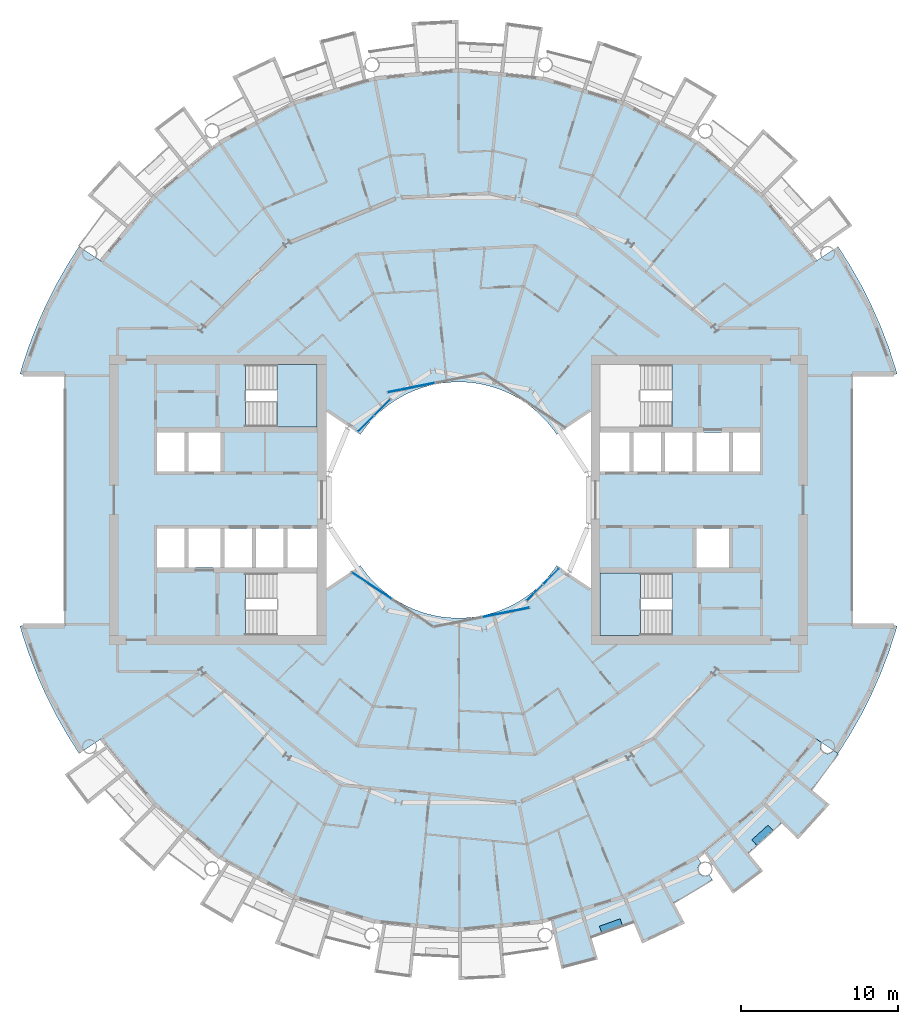
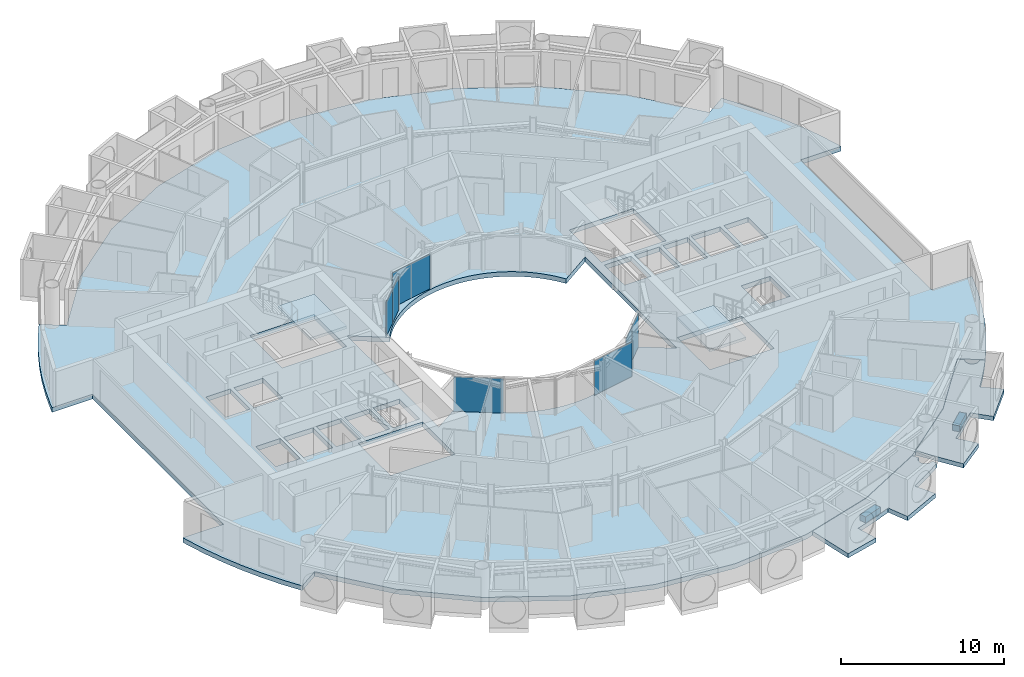
# One storey, part 11 of 27: 7 plates, 7 slabs, 7 elements without a shape of their own.
"""IFC4 building model written with IfcOpenShell, lengths in metres."""

import ifcopenshell
import ifcopenshell.guid

model = None  # the IFC model being written
_history = None  # IfcOwnerHistory: only IFC2X3 demands one
_inside = {}  # id of a spatial element -> (the spatial element, [elements in it])
_under = {}  # id of a project, library or spatial element -> (it, [spatial elements below it])
_declared = {}  # id of a project -> (the project, [libraries it declares])
_typed = {}  # id of a type object -> (the type object, [elements of that type])
_made_of = {}  # id of a material, layer set ... -> (it, [elements and type objects made of it])


def new_model(schema):
    """Start an empty IFC model of exactly this schema.

    Asked for "IFC4X3", IfcOpenShell would pick the latest addendum, in which some entities
    have other attributes; the version numbers below select the first issue.
    IFC2X3 requires an IfcOwnerHistory on every rooted entity: one is made here for all.
    """
    global model, _history
    if schema == "IFC4X3":
        model = ifcopenshell.file(schema_version=(4, 3, 0, 0))
    else:
        model = ifcopenshell.file(schema=schema)
    _inside.clear()
    _under.clear()
    _declared.clear()
    _typed.clear()
    _made_of.clear()
    _history = None
    if model.schema == "IFC2X3":
        org = make("IfcOrganization", Name="unknown")
        user = make(
            "IfcPersonAndOrganization",
            ThePerson=make("IfcPerson", FamilyName="unknown"),
            TheOrganization=org,
        )
        app = make(
            "IfcApplication",
            ApplicationDeveloper=org,
            Version="unknown",
            ApplicationFullName="unknown",
            ApplicationIdentifier="unknown",
        )
        _history = make(
            "IfcOwnerHistory",
            OwningUser=user,
            OwningApplication=app,
            ChangeAction="ADDED",
            CreationDate=0,
        )
    return model


def make(cls, **values):
    """One entity of the class cls with the attributes given. An attribute that is None is left unset."""
    return model.create_entity(
        cls, **{name: value for name, value in values.items() if value is not None}
    )


def rooted(cls, **values):
    """An entity with a GlobalId (a new one), such as an element, a storey or a relation."""
    return make(cls, GlobalId=ifcopenshell.guid.new(), OwnerHistory=_history, **values)


def si_unit(unit_type, name, prefix=None):
    """IfcSIUnit, for example si_unit("LENGTHUNIT", "METRE", prefix="MILLI")."""
    return make("IfcSIUnit", UnitType=unit_type, Prefix=prefix, Name=name)


def assignment(units):
    """IfcUnitAssignment: the units of a project."""
    return None if units is None else make("IfcUnitAssignment", Units=units)


def point(xyz):
    """IfcCartesianPoint."""
    return None if xyz is None else make("IfcCartesianPoint", Coordinates=xyz)


def direction(xyz):
    """IfcDirection."""
    return None if xyz is None else make("IfcDirection", DirectionRatios=xyz)


def frame(location, z_axis=None, x_axis=None):
    """IfcAxis2Placement3D, a coordinate frame: its origin and axes. An axis left out is left unset."""
    return make(
        "IfcAxis2Placement3D",
        Location=point(location),
        Axis=direction(z_axis),
        RefDirection=direction(x_axis),
    )


def frame_2d(location, x_axis=None):
    """IfcAxis2Placement2D, a coordinate frame in the plane: its origin and x axis."""
    return make(
        "IfcAxis2Placement2D", Location=point(location), RefDirection=direction(x_axis)
    )


def origin():
    """The frame at (0, 0, 0) with its axes left unset."""
    return frame((0.0, 0.0, 0.0))


def origin_2d():
    """The frame at (0, 0) in the plane with its x axis left unset."""
    return frame_2d((0.0, 0.0))


def place(relative_to, where):
    """IfcLocalPlacement: puts the frame where relative to a parent placement (None: the world)."""
    return make(
        "IfcLocalPlacement", PlacementRelTo=relative_to, RelativePlacement=where
    )


def context(
    kind, dimensions, precision=None, world=None, true_north=None, identifier=None
):
    """IfcGeometricRepresentationContext, for example the 3D "Model" context."""
    return make(
        "IfcGeometricRepresentationContext",
        ContextIdentifier=identifier,
        ContextType=kind,
        CoordinateSpaceDimension=dimensions,
        Precision=precision,
        WorldCoordinateSystem=world,
        TrueNorth=true_north,
    )


def subcontext(parent, identifier, kind, view, scale=None):
    """IfcGeometricRepresentationSubContext, for example "Body" below "Model"."""
    return make(
        "IfcGeometricRepresentationSubContext",
        ContextIdentifier=identifier,
        ContextType=kind,
        ParentContext=parent,
        TargetScale=scale,
        TargetView=view,
    )


def project(units=None, contexts=None):
    """IfcProject with its units and contexts."""
    return rooted(
        "IfcProject",
        Name="project",
        RepresentationContexts=contexts,
        UnitsInContext=assignment(units),
    )


def spatial(cls, under=None, at=None, **own):
    """A site, building, storey or space (cls), placed at a placement, below another one or the project."""
    s = rooted(cls, ObjectPlacement=at, **own)
    if under is not None:
        _under.setdefault(under.id(), (under, []))[1].append(s)
    return s


def polyline(points):
    """IfcPolyline through the points."""
    return make("IfcPolyline", Points=[point(p) for p in points])


def profile(cls, at=None, kind="AREA", **sizes):
    """A parametric profile (cls). Its sizes go by their IFC names, for example OverallWidth=200.0."""
    return make(cls, ProfileType=kind, Position=at, **sizes)


def rectangle(**sizes):
    """IfcRectangleProfileDef."""
    return profile("IfcRectangleProfileDef", **sizes)


def outline(outer, holes=None, kind="AREA"):
    """IfcArbitraryClosedProfileDef: a profile drawn as a closed curve; with holes, ...WithVoids."""
    if holes is None:
        return make("IfcArbitraryClosedProfileDef", ProfileType=kind, OuterCurve=outer)
    return make(
        "IfcArbitraryProfileDefWithVoids",
        ProfileType=kind,
        OuterCurve=outer,
        InnerCurves=holes,
    )


def extrude(swept, where, along, depth):
    """IfcExtrudedAreaSolid: the profile swept, set in the frame where, extruded along a direction by depth."""
    return make(
        "IfcExtrudedAreaSolid",
        SweptArea=swept,
        Position=where,
        ExtrudedDirection=direction(along),
        Depth=depth,
    )


def shape(context_of_items, identifier, shape_type, items):
    """IfcShapeRepresentation: the items that make up one representation, for example the "Body"."""
    return make(
        "IfcShapeRepresentation",
        ContextOfItems=context_of_items,
        RepresentationIdentifier=identifier,
        RepresentationType=shape_type,
        Items=items,
    )


def material(Name=None, Category=None):
    """IfcMaterial."""
    return make("IfcMaterial", Name=Name, Category=Category)


def layer(
    of_material, thickness, ventilated=None, Name=None, Category=None, Priority=None
):
    """IfcMaterialLayer: one layer of a wall or slab, of a material (None: an air gap)."""
    return make(
        "IfcMaterialLayer",
        Material=of_material,
        LayerThickness=thickness,
        IsVentilated=ventilated,
        Name=Name,
        Category=Category,
        Priority=Priority,
    )


def layer_set(layers, Name=None):
    """IfcMaterialLayerSet."""
    return make("IfcMaterialLayerSet", MaterialLayers=layers, LayerSetName=Name)


def made_of(thing, what):
    """Note that an element or type object is made of a material, layer set ...; save() writes the relation."""
    if what is not None:
        _made_of.setdefault(what.id(), (what, []))[1].append(thing)
    return thing


def type_object(cls, material=None, **own):
    """A type object (cls), such as IfcWallType, which elements share."""
    return made_of(rooted(cls, **own), material)


def element(
    cls,
    number,
    at=None,
    inside=None,
    cuts=None,
    type_object=None,
    material=None,
    context=None,
    identifier="Body",
    shape_type=None,
    held_by="IfcProductDefinitionShape",
    body=None,
    shapes=None,
    **own,
):
    """One element of the class cls, such as IfcWall. Its Tag is "e" and its number.

    at: its placement. inside: the storey or other place that contains it. cuts: it is an
    opening in that element (IfcRelVoidsElement). A single representation is given by context,
    identifier, shape_type and body (its items); several are given by shapes. held_by: the class
    of the entity that holds the representations. save() writes the other relations.
    """
    e = rooted(cls, Tag="e%d" % number, ObjectPlacement=at, **own)
    if body is not None:
        shapes = [shape(context, identifier, shape_type, body)]
    if shapes is not None:
        e.Representation = make(held_by, Representations=shapes)
    if inside is not None:
        _inside.setdefault(inside.id(), (inside, []))[1].append(e)
    if cuts is not None:
        rooted(
            "IfcRelVoidsElement", RelatingBuildingElement=cuts, RelatedOpeningElement=e
        )
    if type_object is not None:
        _typed.setdefault(type_object.id(), (type_object, []))[1].append(e)
    return made_of(e, material)


def aggregate(whole, parts):
    """IfcRelAggregates: a whole, such as a stair, and the parts it consists of."""
    return rooted("IfcRelAggregates", RelatingObject=whole, RelatedObjects=parts)


def save(model, path):
    """Write the relations noted so far, then the file.

    IfcRelAggregates (storeys below a building ...), IfcRelContainedInSpatialStructure (elements
    in a storey), IfcRelDefinesByType, IfcRelAssociatesMaterial and IfcRelDeclares: one each for
    every whole, place, type object, material and project.
    """
    for whole, parts in _under.values():
        aggregate(whole, parts)
    for where, things in _inside.values():
        rooted(
            "IfcRelContainedInSpatialStructure",
            RelatedElements=things,
            RelatingStructure=where,
        )
    for kind, things in _typed.values():
        rooted("IfcRelDefinesByType", RelatedObjects=things, RelatingType=kind)
    for what, things in _made_of.values():
        rooted("IfcRelAssociatesMaterial", RelatedObjects=things, RelatingMaterial=what)
    for by, libraries in _declared.values():
        rooted("IfcRelDeclares", RelatingContext=by, RelatedDefinitions=libraries)
    model.write(path)


model = new_model("IFC4")

# Units and contexts
model_context = context("Model", 3, precision=1e-05, world=origin(), true_north=direction((0.0, 1.0)))
body_context = subcontext(model_context, "Body", "Model", "MODEL_VIEW")
ifc_project = project(units=[si_unit("LENGTHUNIT", "METRE"), si_unit("AREAUNIT", "SQUARE_METRE"), si_unit("VOLUMEUNIT", "CUBIC_METRE"), si_unit("PLANEANGLEUNIT", "RADIAN"), si_unit("MASSUNIT", "GRAM", prefix="KILO")], contexts=[model_context])

# Site, building, storey
site_placement = place(None, origin())
site = spatial("IfcSite", under=ifc_project, at=site_placement, CompositionType="ELEMENT")
building_placement = place(site_placement, origin())
building = spatial("IfcBuilding", under=site, at=building_placement, Name="Maasbend Ring Residences", CompositionType="ELEMENT")
storey_placement = place(building_placement, frame((0.0, 0.0, 114.699951171875)))
storey = spatial("IfcBuildingStorey", under=building, at=storey_placement, Name="L32", CompositionType="ELEMENT", Elevation=114.699951171875)

# Stair, slab
ifc_material_1 = material(Name="Concrete C40/50", Category="concrete")
stair_type = type_object("IfcStairType", Name="CORE STAIR 18 RISERS", PredefinedType="HALF_TURN_STAIR", material=ifc_material_1)
stair_1_placement = place(storey_placement, origin())
stair_1 = element("IfcStair", 1, at=stair_1_placement, inside=storey, type_object=stair_type, Name="L32 Exit stair ST-E2", PredefinedType="HALF_TURN_STAIR")
ifc_material_2 = material(Name="Concrete C40/50", Category="concrete")
ifc_layer_1 = layer(ifc_material_2, 0.199951171875)
ifc_layer_set_1 = layer_set([ifc_layer_1], Name="Concrete C40/50")
slab_type_1 = type_object("IfcSlabType", Name="CORE STAIR LANDING 200", PredefinedType="LANDING", material=ifc_layer_set_1)
slab_1_placement = place(storey_placement, frame((0.0, 0.0, 1.324951171875)))
slab_1 = element("IfcSlab", 2, at=slab_1_placement, type_object=slab_type_1, Name="ST-E2 landing 1", PredefinedType="LANDING", context=body_context, shape_type="SweptSolid", body=[
    extrude(outline(polyline([(11.550048828125, -4.64990234375), (9.0, -4.64990234375), (9.0, -8.60009765625), (11.550048828125, -8.60009765625), (11.550048828125, -4.64990234375)])), origin(), (0.0, 0.0, 1.0), 0.2001953125),
])
aggregate(stair_1, [slab_1])

stair_2_placement = place(storey_placement, origin())
stair_2 = element("IfcStair", 3, at=stair_2_placement, inside=storey, type_object=stair_type, Name="L32 Exit stair ST-W2", PredefinedType="HALF_TURN_STAIR")
slab_2_placement = place(storey_placement, frame((0.0, 0.0, 1.324951171875)))
slab_2 = element("IfcSlab", 4, at=slab_2_placement, type_object=slab_type_1, Name="ST-W2 landing 1", PredefinedType="LANDING", context=body_context, shape_type="SweptSolid", body=[
    extrude(outline(polyline([(-11.550048828125, 4.64990234375), (-9.0, 4.64990234375), (-9.0, 8.60009765625), (-11.550048828125, 8.60009765625), (-11.550048828125, 4.64990234375)])), origin(), (0.0, 0.0, 1.0), 0.2001953125),
])
aggregate(stair_2, [slab_2])

# Curtain wall, plate
ifc_material_3 = material(Name="Aluminium and clear glass", Category="aluminium")
ifc_layer_2 = layer(ifc_material_3, 0.179931640625)
ifc_layer_set_2 = layer_set([ifc_layer_2], Name="CW-W")
curtain_wall_type = type_object("IfcCurtainWallType", Name="CW-W", PredefinedType="NOTDEFINED", material=ifc_layer_set_2)
curtain_wall_1_placement = place(storey_placement, origin())
curtain_wall_1 = element("IfcCurtainWall", 5, at=curtain_wall_1_placement, inside=storey, type_object=curtain_wall_type, Name="Well curtain wall N2", PredefinedType="NOTDEFINED")
ifc_material_4 = material(Name="Glass clear laminated", Category="glass")
ifc_layer_3 = layer(ifc_material_4, 0.031982421875)
ifc_layer_set_3 = layer_set([ifc_layer_3], Name="CWP-W")
plate_type = type_object("IfcPlateType", Name="CWP-W", PredefinedType="CURTAIN_PANEL", material=ifc_layer_set_3)
plate_1_placement = place(storey_placement, frame((-3.0078125, 7.140380859375, 0.0), z_axis=(0.0, 0.0, 1.0), x_axis=(-0.980785280403, -0.195090322016, 0.0)))
plate_1 = element("IfcPlate", 6, at=plate_1_placement, type_object=plate_type, Name="Glass panel well face", PredefinedType="CURTAIN_PANEL", context=body_context, shape_type="SweptSolid", body=[
    extrude(rectangle(XDim=3.053955078125, YDim=0.031982421875, at=origin_2d()), origin(), (0.0, 0.0, 1.0), 2.580078125),
])
aggregate(curtain_wall_1, [plate_1])

# Curtain wall, plates
curtain_wall_2_placement = place(storey_placement, origin())
curtain_wall_2 = element("IfcCurtainWall", 7, at=curtain_wall_2_placement, inside=storey, type_object=curtain_wall_type, Name="Well curtain wall N3", PredefinedType="NOTDEFINED")
plate_2_placement = place(storey_placement, frame((-4.84375, 5.89013671875, 0.0), z_axis=(0.0, 0.0, 1.0), x_axis=(-0.707106781187, -0.707106781187, 0.0)))
plate_2 = element("IfcPlate", 8, at=plate_2_placement, type_object=plate_type, Name="Glass panel well face", PredefinedType="CURTAIN_PANEL", context=body_context, shape_type="SweptSolid", body=[
    extrude(rectangle(XDim=1.419677734375, YDim=0.031982421875, at=origin_2d()), origin(), (0.0, 0.0, 1.0), 2.580078125),
])
plate_3_placement = place(storey_placement, frame((-5.89013671875, 4.84375, 0.0), z_axis=(0.0, 0.0, 1.0), x_axis=(-0.707106781187, -0.707106781187, 0.0)))
plate_3 = element("IfcPlate", 9, at=plate_3_placement, type_object=plate_type, Name="Glass panel well face", PredefinedType="CURTAIN_PANEL", context=body_context, shape_type="SweptSolid", body=[
    extrude(rectangle(XDim=1.419677734375, YDim=0.031982421875, at=origin_2d()), origin(), (0.0, 0.0, 1.0), 2.580078125),
])
aggregate(curtain_wall_2, [plate_2, plate_3])

# Curtain wall, plate
curtain_wall_3_placement = place(storey_placement, origin())
curtain_wall_3 = element("IfcCurtainWall", 10, at=curtain_wall_3_placement, inside=storey, type_object=curtain_wall_type, Name="Well curtain wall S1", PredefinedType="NOTDEFINED")
plate_4_placement = place(storey_placement, frame((-5.51123046875, -5.44580078125, 0.0), z_axis=(0.0, 0.0, 1.0), x_axis=(0.831469612303, -0.55557023302, 0.0)))
plate_4 = element("IfcPlate", 11, at=plate_4_placement, type_object=plate_type, Name="Glass panel well face", PredefinedType="CURTAIN_PANEL", context=body_context, shape_type="SweptSolid", body=[
    extrude(rectangle(XDim=3.053955078125, YDim=0.031982421875, at=origin_2d()), origin(), (0.0, 0.0, 1.0), 2.580078125),
])
aggregate(curtain_wall_3, [plate_4])

curtain_wall_4_placement = place(storey_placement, origin())
curtain_wall_4 = element("IfcCurtainWall", 12, at=curtain_wall_4_placement, inside=storey, type_object=curtain_wall_type, Name="Well curtain wall S2", PredefinedType="NOTDEFINED")
plate_5_placement = place(storey_placement, frame((3.0078125, -7.140380859375, 0.0), z_axis=(0.0, 0.0, 1.0), x_axis=(0.980785280403, 0.195090322016, 0.0)))
plate_5 = element("IfcPlate", 13, at=plate_5_placement, type_object=plate_type, Name="Glass panel well face", PredefinedType="CURTAIN_PANEL", context=body_context, shape_type="SweptSolid", body=[
    extrude(rectangle(XDim=3.053955078125, YDim=0.031982421875, at=origin_2d()), origin(), (0.0, 0.0, 1.0), 2.580078125),
])
aggregate(curtain_wall_4, [plate_5])

# Curtain wall, plates
curtain_wall_5_placement = place(storey_placement, origin())
curtain_wall_5 = element("IfcCurtainWall", 14, at=curtain_wall_5_placement, inside=storey, type_object=curtain_wall_type, Name="Well curtain wall S3", PredefinedType="NOTDEFINED")
plate_6_placement = place(storey_placement, frame((4.84375, -5.89013671875, 0.0), z_axis=(0.0, 0.0, 1.0), x_axis=(0.707106781187, 0.707106781187, 0.0)))
plate_6 = element("IfcPlate", 15, at=plate_6_placement, type_object=plate_type, Name="Glass panel well face", PredefinedType="CURTAIN_PANEL", context=body_context, shape_type="SweptSolid", body=[
    extrude(rectangle(XDim=1.419677734375, YDim=0.031982421875, at=origin_2d()), origin(), (0.0, 0.0, 1.0), 2.580078125),
])
plate_7_placement = place(storey_placement, frame((5.89013671875, -4.84375, 0.0), z_axis=(0.0, 0.0, 1.0), x_axis=(0.707106781187, 0.707106781187, 0.0)))
plate_7 = element("IfcPlate", 16, at=plate_7_placement, type_object=plate_type, Name="Glass panel well face", PredefinedType="CURTAIN_PANEL", context=body_context, shape_type="SweptSolid", body=[
    extrude(rectangle(XDim=1.419677734375, YDim=0.031982421875, at=origin_2d()), origin(), (0.0, 0.0, 1.0), 2.580078125),
])
aggregate(curtain_wall_5, [plate_6, plate_7])

# Slabs
ifc_material_5 = material(Name="Planting with climbing greenery")
ifc_layer_4 = layer(ifc_material_5, 0.449951171875)
ifc_layer_set_4 = layer_set([ifc_layer_4], Name="PLANTER-LG")
slab_type_2 = type_object("IfcSlabType", Name="PLANTER-LG", PredefinedType="USERDEFINED", material=ifc_layer_set_4)
slab_3_placement = place(storey_placement, frame((0.0, 0.0, -0.030029296875)))
element("IfcSlab", 17, at=slab_3_placement, inside=storey, type_object=slab_type_2, Name="Planter with climbing greenery 4", ObjectType="PLANTER", PredefinedType="USERDEFINED", context=body_context, shape_type="SweptSolid", body=[
    extrude(outline(polyline([(9.09912109375, -27.508056640625), (10.4169921875, -27.035888671875), (10.26611328125, -26.612060546875), (8.947021484375, -27.083984375), (9.09912109375, -27.508056640625)])), origin(), (0.0, 0.0, 1.0), 0.4501953125),
])
slab_4_placement = place(storey_placement, frame((0.0, 0.0, -0.030029296875)))
element("IfcSlab", 18, at=slab_4_placement, inside=storey, type_object=slab_type_2, Name="Planter with climbing greenery 5", ObjectType="PLANTER", PredefinedType="USERDEFINED", context=body_context, shape_type="SweptSolid", body=[
    extrude(outline(polyline([(18.93310546875, -21.931884765625), (19.969970703125, -20.991943359375), (19.66796875, -20.657958984375), (18.631103515625, -21.597900390625), (18.93310546875, -21.931884765625)])), origin(), (0.0, 0.0, 1.0), 0.4501953125),
])
ifc_material_6 = material(Name="Concrete C40/50", Category="concrete")
ifc_layer_5 = layer(ifc_material_6, 0.35009765625)
ifc_layer_set_5 = layer_set([ifc_layer_5], Name="Concrete C40/50")
slab_type_3 = type_object("IfcSlabType", Name="Post-tensioned flat plate 350", PredefinedType="FLOOR", material=ifc_layer_set_5)
slab_5_placement = place(storey_placement, frame((0.0, 0.0, -0.349853515625)))
element("IfcSlab", 19, at=slab_5_placement, inside=storey, type_object=slab_type_3, Name="Floor slab L32", PredefinedType="FLOOR", context=body_context, shape_type="SweptSolid", body=[
    extrude(outline(polyline([(24.8740234375, -14.908935546875), (25.57568359375, -13.67041015625), (26.2158203125, -12.399169921875), (26.79248046875, -11.097900390625), (27.3046875, -9.769775390625), (27.751220703125, -8.418212890625), (27.866943359375, -8.0), (25.0, -8.0), (25.0, 8.0), (27.866943359375, 8.0), (27.751220703125, 8.418212890625), (27.3046875, 9.769775390625), (26.79248046875, 11.097900390625), (26.2158203125, 12.399169921875), (25.57568359375, 13.67041015625), (24.8740234375, 14.908935546875), (24.112548828125, 16.111572265625), (22.69921875, 15.1669921875), (19.303955078125, 19.303955078125), (15.1669921875, 22.69921875), (10.447265625, 25.221923828125), (5.325927734375, 26.775390625), (0.0, 27.300048828125), (-5.325927734375, 26.775390625), (-10.447265625, 25.221923828125), (-15.1669921875, 22.69921875), (-19.303955078125, 19.303955078125), (-22.69921875, 15.1669921875), (-24.112548828125, 16.111572265625), (-24.8740234375, 14.908935546875), (-25.57568359375, 13.67041015625), (-26.2158203125, 12.399169921875), (-26.79248046875, 11.097900390625), (-27.3046875, 9.769775390625), (-27.751220703125, 8.418212890625), (-27.866943359375, 8.0), (-25.0, 8.0), (-25.0, -8.0), (-27.866943359375, -8.0), (-27.751220703125, -8.418212890625), (-27.3046875, -9.769775390625), (-26.79248046875, -11.097900390625), (-26.2158203125, -12.399169921875), (-25.57568359375, -13.67041015625), (-24.8740234375, -14.908935546875), (-24.112548828125, -16.111572265625), (-22.69921875, -15.1669921875), (-19.303955078125, -19.303955078125), (-15.1669921875, -22.69921875), (-10.447265625, -25.221923828125), (-5.325927734375, -26.775390625), (0.0, -27.300048828125), (5.325927734375, -26.775390625), (10.447265625, -25.221923828125), (15.1669921875, -22.69921875), (19.303955078125, -19.303955078125), (22.69921875, -15.1669921875), (24.112548828125, -16.111572265625), (24.8740234375, -14.908935546875)]), holes=[polyline([(17.425048828125, 4.27490234375), (19.14990234375, 4.27490234375), (19.14990234375, 1.824951171875), (17.425048828125, 1.824951171875), (17.425048828125, 4.27490234375)]), polyline([(15.125, 1.824951171875), (15.125, 4.27490234375), (17.175048828125, 4.27490234375), (17.175048828125, 1.824951171875), (15.125, 1.824951171875)]), polyline([(15.125, -4.27490234375), (15.125, -1.824951171875), (17.175048828125, -1.824951171875), (17.175048828125, -4.27490234375), (15.125, -4.27490234375)]), polyline([(13.125, 1.824951171875), (13.125, 4.27490234375), (14.875, 4.27490234375), (14.875, 1.824951171875), (13.125, 1.824951171875)]), polyline([(13.550048828125, 4.64990234375), (9.0, 4.64990234375), (9.0, 8.60009765625), (13.550048828125, 8.60009765625), (13.550048828125, 4.64990234375)]), polyline([(13.550048828125, -4.64990234375), (13.550048828125, -8.60009765625), (9.0, -8.60009765625), (9.0, -4.64990234375), (13.550048828125, -4.64990234375)]), polyline([(11.125, 1.824951171875), (11.125, 4.27490234375), (12.875, 4.27490234375), (12.875, 1.824951171875), (11.125, 1.824951171875)]), polyline([(9.0, 1.824951171875), (9.0, 4.27490234375), (10.875, 4.27490234375), (10.875, 1.824951171875), (9.0, 1.824951171875)]), polyline([(6.024169921875, 4.4677734375), (6.236083984375, 4.166748046875), (8.39990234375, 5.61279296875), (8.39990234375, -5.61279296875), (6.236083984375, -4.166748046875), (6.024169921875, -4.4677734375), (5.797607421875, -4.7578125), (5.55712890625, -5.03662109375), (5.30322265625, -5.30322265625), (5.03662109375, -5.55712890625), (4.7578125, -5.797607421875), (4.4677734375, -6.024169921875), (4.166748046875, -6.236083984375), (3.855712890625, -6.43310546875), (3.535400390625, -6.614501953125), (3.206787109375, -6.77978515625), (2.8701171875, -6.92919921875), (2.526611328125, -7.0615234375), (2.177001953125, -7.177001953125), (1.822509765625, -7.275146484375), (1.463134765625, -7.35595703125), (1.1005859375, -7.418701171875), (0.735107421875, -7.4638671875), (0.367919921875, -7.490966796875), (0.0, -7.5), (-0.367919921875, -7.490966796875), (-0.735107421875, -7.4638671875), (-1.1005859375, -7.418701171875), (-1.463134765625, -7.35595703125), (-1.822509765625, -7.275146484375), (-2.177001953125, -7.177001953125), (-2.526611328125, -7.0615234375), (-2.8701171875, -6.92919921875), (-3.206787109375, -6.77978515625), (-3.535400390625, -6.614501953125), (-3.855712890625, -6.43310546875), (-4.166748046875, -6.236083984375), (-4.4677734375, -6.024169921875), (-4.7578125, -5.797607421875), (-5.03662109375, -5.55712890625), (-5.30322265625, -5.30322265625), (-5.55712890625, -5.03662109375), (-5.797607421875, -4.7578125), (-6.024169921875, -4.4677734375), (-6.236083984375, -4.166748046875), (-8.39990234375, -5.61279296875), (-8.39990234375, 5.61279296875), (-6.236083984375, 4.166748046875), (-6.236083984375, 4.166748046875), (-6.024169921875, 4.4677734375), (-5.797607421875, 4.7578125), (-5.55712890625, 5.03662109375), (-5.30322265625, 5.30322265625), (-5.03662109375, 5.55712890625), (-4.7578125, 5.797607421875), (-4.4677734375, 6.024169921875), (-4.166748046875, 6.236083984375), (-3.855712890625, 6.43310546875), (-3.535400390625, 6.614501953125), (-3.206787109375, 6.77978515625), (-2.8701171875, 6.92919921875), (-2.526611328125, 7.0615234375), (-2.177001953125, 7.177001953125), (-1.822509765625, 7.275146484375), (-1.463134765625, 7.35595703125), (-1.1005859375, 7.418701171875), (-0.735107421875, 7.4638671875), (-0.367919921875, 7.490966796875), (0.0, 7.5), (0.367919921875, 7.490966796875), (0.735107421875, 7.4638671875), (1.1005859375, 7.418701171875), (1.463134765625, 7.35595703125), (1.822509765625, 7.275146484375), (2.177001953125, 7.177001953125), (2.526611328125, 7.0615234375), (2.8701171875, 6.92919921875), (3.206787109375, 6.77978515625), (3.535400390625, 6.614501953125), (3.855712890625, 6.43310546875), (4.166748046875, 6.236083984375), (4.4677734375, 6.024169921875), (4.7578125, 5.797607421875), (5.03662109375, 5.55712890625), (5.30322265625, 5.30322265625), (5.55712890625, 5.03662109375), (5.797607421875, 4.7578125), (6.024169921875, 4.4677734375)]), polyline([(-13.550048828125, 4.64990234375), (-13.550048828125, 8.60009765625), (-9.0, 8.60009765625), (-9.0, 4.64990234375), (-13.550048828125, 4.64990234375)]), polyline([(-13.550048828125, -8.60009765625), (-13.550048828125, -4.64990234375), (-9.0, -4.64990234375), (-9.0, -8.60009765625), (-13.550048828125, -8.60009765625)]), polyline([(-9.0, -1.824951171875), (-9.0, -4.27490234375), (-10.875, -4.27490234375), (-10.875, -1.824951171875), (-9.0, -1.824951171875)]), polyline([(-11.125, -1.824951171875), (-11.125, -4.27490234375), (-12.875, -4.27490234375), (-12.875, -1.824951171875), (-11.125, -1.824951171875)]), polyline([(-13.125, -1.824951171875), (-13.125, -4.27490234375), (-14.875, -4.27490234375), (-14.875, -1.824951171875), (-13.125, -1.824951171875)]), polyline([(-15.125, 4.27490234375), (-15.125, 1.824951171875), (-17.175048828125, 1.824951171875), (-17.175048828125, 4.27490234375), (-15.125, 4.27490234375)]), polyline([(-15.125, -1.824951171875), (-15.125, -4.27490234375), (-17.175048828125, -4.27490234375), (-17.175048828125, -1.824951171875), (-15.125, -1.824951171875)]), polyline([(-17.425048828125, -1.824951171875), (-17.425048828125, -4.27490234375), (-19.14990234375, -4.27490234375), (-19.14990234375, -1.824951171875), (-17.425048828125, -1.824951171875)]), polyline([(-17.425048828125, 4.27490234375), (-17.425048828125, 1.824951171875), (-19.14990234375, 1.824951171875), (-19.14990234375, 4.27490234375), (-17.425048828125, 4.27490234375)])]), origin(), (0.0, 0.0, 1.0), 0.349853515625),
])
ifc_material_7 = material(Name="Concrete C40/50", Category="concrete")
ifc_layer_6 = layer(ifc_material_7, 0.199951171875)
ifc_layer_set_6 = layer_set([ifc_layer_6], Name="Concrete C40/50")
slab_type_4 = type_object("IfcSlabType", Name="SL-LOGGIA", PredefinedType="FLOOR", material=ifc_layer_set_6)
slab_6_placement = place(storey_placement, frame((0.0, 0.0, -0.349853515625)))
element("IfcSlab", 20, at=slab_6_placement, inside=storey, type_object=slab_type_4, Name="Loggia floor 1", PredefinedType="FLOOR", context=body_context, shape_type="SweptSolid", body=[
    extrude(outline(polyline([(10.447021484375, -25.221923828125), (12.806884765625, -23.9609375), (15.1669921875, -22.698974609375), (15.1669921875, -22.698974609375), (15.1669921875, -22.698974609375), (15.4130859375, -23.06689453125), (15.404052734375, -23.073974609375), (15.39501953125, -23.080078125), (15.385986328125, -23.0869140625), (15.376953125, -23.093994140625), (15.368896484375, -23.10107421875), (15.360107421875, -23.10888671875), (15.35205078125, -23.115966796875), (15.343994140625, -23.1240234375), (15.3359375, -23.132080078125), (15.327880859375, -23.139892578125), (15.321044921875, -23.14892578125), (15.31396484375, -23.156982421875), (15.306884765625, -23.166015625), (15.300048828125, -23.175048828125), (15.29296875, -23.18408203125), (15.287109375, -23.194091796875), (15.281005859375, -23.202880859375), (15.27490234375, -23.2119140625), (15.26904296875, -23.221923828125), (15.263916015625, -23.23193359375), (15.259033203125, -23.241943359375), (15.25390625, -23.251953125), (15.2490234375, -23.261962890625), (15.2451171875, -23.27294921875), (15.240966796875, -23.282958984375), (15.237060546875, -23.29296875), (15.23291015625, -23.303955078125), (15.22998046875, -23.31494140625), (15.22705078125, -23.325927734375), (15.22412109375, -23.3359375), (15.220947265625, -23.346923828125), (15.218994140625, -23.35791015625), (15.217041015625, -23.368896484375), (15.215087890625, -23.3798828125), (15.214111328125, -23.39111328125), (15.2119140625, -23.403076171875), (15.2109375, -23.4140625), (15.2109375, -23.425048828125), (15.2099609375, -23.43603515625), (15.2099609375, -23.447021484375), (15.2099609375, -23.458984375), (15.2109375, -23.469970703125), (15.2109375, -23.48095703125), (15.2119140625, -23.491943359375), (15.214111328125, -23.5029296875), (15.215087890625, -23.513916015625), (15.217041015625, -23.52587890625), (15.218994140625, -23.537109375), (15.220947265625, -23.548095703125), (15.22412109375, -23.55810546875), (15.22705078125, -23.569091796875), (15.22998046875, -23.580078125), (15.23291015625, -23.591064453125), (15.237060546875, -23.60107421875), (15.240966796875, -23.612060546875), (15.2451171875, -23.6220703125), (15.2490234375, -23.633056640625), (15.25390625, -23.64306640625), (15.259033203125, -23.653076171875), (15.263916015625, -23.6630859375), (15.26904296875, -23.673095703125), (15.27490234375, -23.681884765625), (15.281005859375, -23.69189453125), (15.287109375, -23.700927734375), (15.29296875, -23.7109375), (15.300048828125, -23.719970703125), (15.306884765625, -23.72900390625), (15.31396484375, -23.737060546875), (15.321044921875, -23.74609375), (15.327880859375, -23.75390625), (15.3359375, -23.762939453125), (15.343994140625, -23.77099609375), (15.35205078125, -23.778076171875), (15.360107421875, -23.785888671875), (15.368896484375, -23.79296875), (15.376953125, -23.801025390625), (15.385986328125, -23.80810546875), (15.39501953125, -23.81396484375), (15.404052734375, -23.821044921875), (15.4130859375, -23.826904296875), (15.423095703125, -23.8330078125), (15.431884765625, -23.839111328125), (15.44189453125, -23.844970703125), (15.451904296875, -23.85009765625), (15.4619140625, -23.85595703125), (15.471923828125, -23.861083984375), (15.48193359375, -23.864990234375), (15.491943359375, -23.8701171875), (15.5029296875, -23.8740234375), (15.512939453125, -23.8779296875), (15.52392578125, -23.881103515625), (15.533935546875, -23.885009765625), (15.544921875, -23.887939453125), (15.555908203125, -23.89111328125), (15.56689453125, -23.89306640625), (15.577880859375, -23.89599609375), (15.589111328125, -23.89794921875), (15.60009765625, -23.89892578125), (15.611083984375, -23.90087890625), (15.6220703125, -23.902099609375), (15.633056640625, -23.903076171875), (15.64501953125, -23.904052734375), (15.656005859375, -23.904052734375), (15.6669921875, -23.904052734375), (15.677978515625, -23.904052734375), (15.68994140625, -23.904052734375), (15.700927734375, -23.903076171875), (15.7119140625, -23.902099609375), (15.722900390625, -23.90087890625), (15.73388671875, -23.89892578125), (15.7451171875, -23.89794921875), (15.756103515625, -23.89599609375), (15.76708984375, -23.89306640625), (15.778076171875, -23.89111328125), (15.7890625, -23.887939453125), (15.800048828125, -23.885009765625), (15.81005859375, -23.881103515625), (15.821044921875, -23.8779296875), (15.83203125, -23.8740234375), (15.842041015625, -23.8701171875), (15.85205078125, -23.864990234375), (15.862060546875, -23.861083984375), (15.873046875, -23.85595703125), (15.883056640625, -23.85009765625), (15.89208984375, -23.844970703125), (15.902099609375, -23.839111328125), (15.912109375, -23.8330078125), (15.9208984375, -23.826904296875), (16.112060546875, -24.113037109375), (16.112060546875, -24.113037109375), (16.112060546875, -24.113037109375), (15.31396484375, -24.626953125), (15.31396484375, -24.626953125), (14.5, -25.114990234375), (14.5, -25.114990234375), (13.6708984375, -25.574951171875), (13.6708984375, -25.575927734375), (13.6708984375, -25.575927734375), (13.6708984375, -25.575927734375), (13.6708984375, -25.575927734375), (13.6708984375, -25.575927734375), (13.6708984375, -25.575927734375), (13.6708984375, -25.575927734375), (13.6708984375, -25.575927734375), (13.6708984375, -25.575927734375), (13.6708984375, -25.575927734375), (13.6708984375, -25.575927734375), (13.6708984375, -25.575927734375), (13.6708984375, -25.575927734375), (13.6708984375, -25.575927734375), (13.6708984375, -25.575927734375), (13.6708984375, -25.575927734375), (14.3779296875, -26.89892578125), (14.3779296875, -26.89892578125), (14.3779296875, -26.89892578125), (11.672119140625, -28.177978515625), (11.672119140625, -28.177978515625), (11.672119140625, -28.177978515625), (11.097900390625, -26.79296875), (11.097900390625, -26.79296875), (11.097900390625, -26.79296875), (11.097900390625, -26.79296875), (11.097900390625, -26.79296875), (11.097900390625, -26.79296875), (11.097900390625, -26.79296875), (11.097900390625, -26.79296875), (11.097900390625, -26.79296875), (11.097900390625, -26.79296875), (11.097900390625, -26.79296875), (11.097900390625, -26.79296875), (11.097900390625, -26.79296875), (11.097900390625, -26.79296875), (11.096923828125, -26.79296875), (11.096923828125, -26.79296875), (11.096923828125, -26.79296875), (10.215087890625, -27.14111328125), (10.215087890625, -27.14111328125), (9.322021484375, -27.4609375), (9.322021484375, -27.4609375), (8.4189453125, -27.7509765625), (8.4189453125, -27.7509765625), (8.4189453125, -27.7509765625), (8.4189453125, -27.7509765625), (8.4189453125, -27.7509765625), (8.4189453125, -27.7509765625), (8.41796875, -27.7509765625), (8.41796875, -27.7509765625), (8.41796875, -27.7509765625), (8.41796875, -27.7509765625), (8.41796875, -27.7509765625), (8.41796875, -27.751953125), (8.41796875, -27.751953125), (8.41796875, -27.751953125), (8.41796875, -27.751953125), (8.41796875, -27.751953125), (8.41796875, -27.751953125), (8.85400390625, -29.18701171875), (8.85400390625, -29.18701171875), (8.85400390625, -29.18701171875), (6.5400390625, -29.791015625), (6.5400390625, -29.791015625), (6.5400390625, -29.791015625), (5.843994140625, -26.617919921875), (5.843994140625, -26.617919921875), (5.843994140625, -26.617919921875), (7.886962890625, -25.9990234375), (10.447021484375, -25.221923828125), (10.447021484375, -25.221923828125), (10.447021484375, -25.221923828125)])), origin(), (0.0, 0.0, 1.0), 0.31982421875),
])
slab_7_placement = place(storey_placement, frame((0.0, 0.0, -0.349853515625)))
element("IfcSlab", 21, at=slab_7_placement, inside=storey, type_object=slab_type_4, Name="Loggia floor 4", PredefinedType="FLOOR", context=body_context, shape_type="SweptSolid", body=[
    extrude(outline(polyline([(19.303955078125, -19.303955078125), (21.001953125, -17.236083984375), (22.698974609375, -15.1669921875), (22.698974609375, -15.1669921875), (22.698974609375, -15.1669921875), (23.06689453125, -15.4130859375), (23.06689453125, -15.4130859375), (23.06103515625, -15.423095703125), (23.054931640625, -15.431884765625), (23.050048828125, -15.44189453125), (23.0439453125, -15.451904296875), (23.0390625, -15.4619140625), (23.033935546875, -15.471923828125), (23.030029296875, -15.48193359375), (23.02490234375, -15.491943359375), (23.02099609375, -15.5029296875), (23.01708984375, -15.512939453125), (23.012939453125, -15.52392578125), (23.010009765625, -15.533935546875), (23.007080078125, -15.544921875), (23.00390625, -15.555908203125), (23.001953125, -15.56689453125), (22.9990234375, -15.577880859375), (22.9970703125, -15.589111328125), (22.9951171875, -15.60009765625), (22.993896484375, -15.611083984375), (22.992919921875, -15.6220703125), (22.991943359375, -15.633056640625), (22.990966796875, -15.64501953125), (22.990966796875, -15.656005859375), (22.989990234375, -15.6669921875), (22.990966796875, -15.677978515625), (22.990966796875, -15.68994140625), (22.991943359375, -15.700927734375), (22.992919921875, -15.7119140625), (22.993896484375, -15.722900390625), (22.9951171875, -15.73388671875), (22.9970703125, -15.7451171875), (22.9990234375, -15.756103515625), (23.001953125, -15.76708984375), (23.00390625, -15.778076171875), (23.007080078125, -15.7890625), (23.010009765625, -15.800048828125), (23.012939453125, -15.81005859375), (23.01708984375, -15.821044921875), (23.02099609375, -15.83203125), (23.02490234375, -15.842041015625), (23.030029296875, -15.85205078125), (23.033935546875, -15.862060546875), (23.0390625, -15.873046875), (23.0439453125, -15.883056640625), (23.050048828125, -15.89208984375), (23.054931640625, -15.902099609375), (23.06103515625, -15.912109375), (23.06689453125, -15.9208984375), (23.073974609375, -15.929931640625), (23.080078125, -15.93896484375), (23.0869140625, -15.947998046875), (23.093994140625, -15.95703125), (23.10107421875, -15.966064453125), (23.10888671875, -15.97412109375), (23.115966796875, -15.98193359375), (23.1240234375, -15.989990234375), (23.132080078125, -15.998046875), (23.139892578125, -16.006103515625), (23.14892578125, -16.012939453125), (23.156982421875, -16.02001953125), (23.166015625, -16.027099609375), (23.175048828125, -16.033935546875), (23.18408203125, -16.041015625), (23.194091796875, -16.047119140625), (23.202880859375, -16.052978515625), (23.2119140625, -16.05908203125), (23.221923828125, -16.06494140625), (23.23193359375, -16.070068359375), (23.241943359375, -16.074951171875), (23.251953125, -16.080078125), (23.261962890625, -16.0849609375), (23.27294921875, -16.089111328125), (23.282958984375, -16.093017578125), (23.29296875, -16.096923828125), (23.303955078125, -16.10107421875), (23.31494140625, -16.10400390625), (23.325927734375, -16.10791015625), (23.3359375, -16.110107421875), (23.346923828125, -16.113037109375), (23.35791015625, -16.114990234375), (23.368896484375, -16.116943359375), (23.3798828125, -16.118896484375), (23.39111328125, -16.12109375), (23.403076171875, -16.1220703125), (23.4140625, -16.123046875), (23.425048828125, -16.1240234375), (23.43603515625, -16.1240234375), (23.447021484375, -16.1240234375), (23.458984375, -16.1240234375), (23.469970703125, -16.1240234375), (23.48095703125, -16.123046875), (23.491943359375, -16.1220703125), (23.5029296875, -16.12109375), (23.513916015625, -16.118896484375), (23.52587890625, -16.116943359375), (23.537109375, -16.114990234375), (23.548095703125, -16.113037109375), (23.55810546875, -16.110107421875), (23.569091796875, -16.10791015625), (23.580078125, -16.10400390625), (23.591064453125, -16.10107421875), (23.60107421875, -16.096923828125), (23.612060546875, -16.093017578125), (23.6220703125, -16.089111328125), (23.633056640625, -16.0849609375), (23.64306640625, -16.080078125), (23.653076171875, -16.074951171875), (23.6630859375, -16.070068359375), (23.673095703125, -16.06494140625), (23.681884765625, -16.05908203125), (23.69189453125, -16.052978515625), (23.700927734375, -16.047119140625), (23.7109375, -16.041015625), (23.719970703125, -16.033935546875), (23.72900390625, -16.027099609375), (23.737060546875, -16.02001953125), (23.74609375, -16.012939453125), (23.75390625, -16.006103515625), (23.762939453125, -15.998046875), (23.77099609375, -15.989990234375), (23.778076171875, -15.98193359375), (23.785888671875, -15.97412109375), (23.79296875, -15.966064453125), (23.801025390625, -15.95703125), (23.80810546875, -15.947998046875), (23.81396484375, -15.93896484375), (23.821044921875, -15.929931640625), (23.826904296875, -15.9208984375), (23.826904296875, -15.9208984375), (24.113037109375, -16.112060546875), (24.113037109375, -16.112060546875), (24.113037109375, -16.112060546875), (23.572998046875, -16.89208984375), (23.572998046875, -16.89208984375), (23.007080078125, -17.654052734375), (23.007080078125, -17.654052734375), (22.41796875, -18.39697265625), (22.41796875, -18.39697265625), (22.41796875, -18.39697265625), (22.41796875, -18.39697265625), (22.41796875, -18.39697265625), (22.41796875, -18.39697265625), (22.41796875, -18.39697265625), (22.41796875, -18.39697265625), (22.41796875, -18.39697265625), (22.41796875, -18.39697265625), (22.41796875, -18.39697265625), (22.41796875, -18.39794921875), (22.41796875, -18.39794921875), (22.41796875, -18.39794921875), (22.41796875, -18.39794921875), (22.41796875, -18.39794921875), (22.41796875, -18.39794921875), (23.576904296875, -19.34912109375), (23.576904296875, -19.34912109375), (23.576904296875, -19.34912109375), (21.56689453125, -21.56689453125), (21.56689453125, -21.56689453125), (21.56689453125, -21.56689453125), (20.506103515625, -20.506103515625), (20.506103515625, -20.506103515625), (20.506103515625, -20.506103515625), (20.506103515625, -20.506103515625), (20.506103515625, -20.506103515625), (20.506103515625, -20.506103515625), (20.506103515625, -20.506103515625), (20.506103515625, -20.506103515625), (20.506103515625, -20.506103515625), (20.506103515625, -20.506103515625), (20.506103515625, -20.506103515625), (20.506103515625, -20.506103515625), (20.506103515625, -20.506103515625), (20.506103515625, -20.506103515625), (20.506103515625, -20.506103515625), (20.506103515625, -20.506103515625), (20.506103515625, -20.506103515625), (19.823974609375, -21.166015625), (19.823974609375, -21.166015625), (19.12109375, -21.802978515625), (19.12109375, -21.802978515625), (18.39794921875, -22.4169921875), (18.39794921875, -22.4169921875), (18.39794921875, -22.4169921875), (18.39794921875, -22.4169921875), (18.39794921875, -22.4169921875), (18.39794921875, -22.4169921875), (18.39794921875, -22.4169921875), (18.39794921875, -22.4169921875), (18.39794921875, -22.4169921875), (18.39794921875, -22.4169921875), (18.39794921875, -22.4169921875), (18.39794921875, -22.4169921875), (18.39794921875, -22.41796875), (18.39794921875, -22.41796875), (18.39794921875, -22.41796875), (18.39794921875, -22.41796875), (18.39794921875, -22.41796875), (19.34912109375, -23.576904296875), (19.34912109375, -23.576904296875), (19.34912109375, -23.576904296875), (17.44189453125, -25.02001953125), (17.44189453125, -25.02001953125), (17.44189453125, -25.02001953125), (15.5849609375, -22.35595703125), (15.5849609375, -22.35595703125), (15.5849609375, -22.35595703125), (17.236083984375, -21.001953125), (19.303955078125, -19.303955078125), (19.303955078125, -19.303955078125), (19.303955078125, -19.303955078125)])), origin(), (0.0, 0.0, 1.0), 0.31982421875),
])

save(model, "model.ifc")
